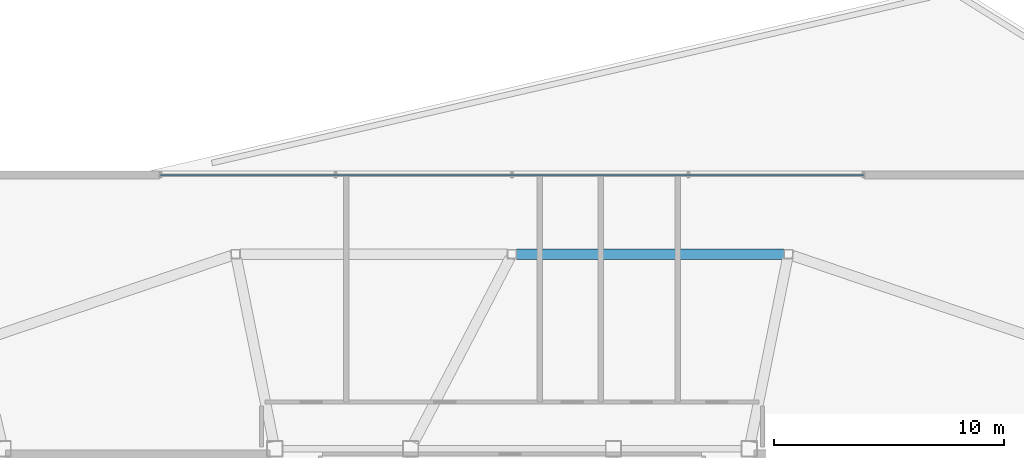
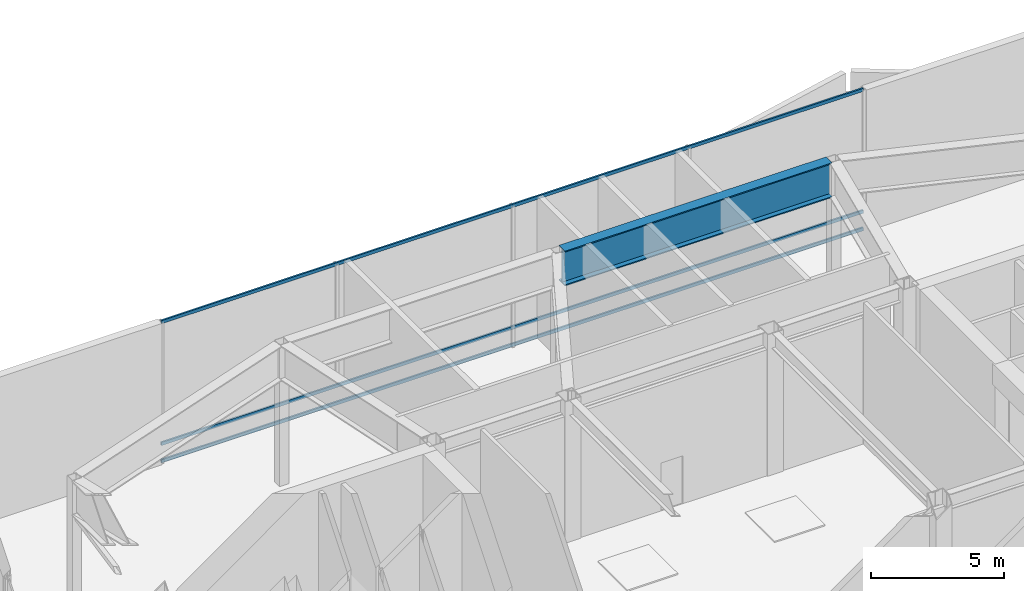
# One storey, part 15 of 25: 3 members, 1 beam, 1 element without a shape of its own.
"""IFC4 building model written with IfcOpenShell, lengths in metres."""

from ifc_helpers import new_model, si_unit, direction, frame, origin, origin_2d, place, context, subcontext, project, spatial, hollow_rectangle, i_section, extrude, material, layer, layer_set, material_profile, profile_set, type_object, element, aggregate, save


model = new_model("IFC4")

# Units and contexts
model_context = context("Model", 3, precision=1e-05, world=origin(), true_north=direction((0.0, 1.0)))
body_context = subcontext(model_context, "Body", "Model", "MODEL_VIEW")
ifc_project = project(units=[si_unit("LENGTHUNIT", "METRE"), si_unit("AREAUNIT", "SQUARE_METRE"), si_unit("VOLUMEUNIT", "CUBIC_METRE"), si_unit("PLANEANGLEUNIT", "RADIAN"), si_unit("MASSUNIT", "GRAM", prefix="KILO")], contexts=[model_context])

# Site, building, storey
site_placement = place(None, origin())
site = spatial("IfcSite", under=ifc_project, at=site_placement, CompositionType="ELEMENT")
building_placement = place(site_placement, origin())
building = spatial("IfcBuilding", under=site, at=building_placement, Name="Tavrogorsk Clinical Tower", CompositionType="ELEMENT")
storey_placement = place(building_placement, frame((0.0, 0.0, 333.0)))
storey = spatial("IfcBuildingStorey", under=building, at=storey_placement, Name="L78", CompositionType="ELEMENT", Elevation=333.0)

# Curtain wall, members
ifc_material_1 = material(Name="Anodised aluminium and triple IGU glazing", Category="aluminium")
ifc_layer = layer(ifc_material_1, 0.179931640625)
ifc_layer_set = layer_set([ifc_layer], Name="Anodised aluminium and triple IGU glazing")
curtain_wall_type = type_object("IfcCurtainWallType", Name="CW6_TmdLantern", PredefinedType="NOTDEFINED", material=ifc_layer_set)
curtain_wall_placement = place(storey_placement, origin())
curtain_wall = element("IfcCurtainWall", 1, at=curtain_wall_placement, inside=storey, type_object=curtain_wall_type, Name="L78 Curtain Wall CW-L78-TMD-4", PredefinedType="NOTDEFINED")
ifc_material_2 = material(Name="Anodised aluminium alloy AW-6060", Category="aluminium")
ifc_material_profile_1 = material_profile(ifc_material_2, hollow_rectangle(XDim=0.074951171875, YDim=0.14990234375, WallThickness=0.0048828125, at=origin_2d()), Name="RHS-150x75x5")
ifc_profile_set_1 = profile_set([ifc_material_profile_1], Name="Anodised aluminium alloy AW-6060")
member_type = type_object("IfcMemberType", Name="CwTransom_150x75", PredefinedType="USERDEFINED", material=ifc_profile_set_1)
member_1_placement = place(storey_placement, frame((-15.258544921875, 18.22998046875, 0.050048828125), z_axis=(1.0, 0.0, 0.0), x_axis=(0.0, 1.0, 0.0)))
member_1 = element("IfcMember", 2, at=member_1_placement, type_object=member_type, Name="CW-L78-TMD-4 Transom 1", ObjectType="TRANSOM", PredefinedType="USERDEFINED", context=body_context, shape_type="SweptSolid", body=[
    extrude(hollow_rectangle(XDim=0.074951171875, YDim=0.14990234375, WallThickness=0.0048828125, at=origin_2d()), origin(), (0.0, 0.0, 1.0), 30.51806640625),
])
member_2_placement = place(storey_placement, frame((-15.258544921875, 18.22998046875, 0.85009765625), z_axis=(1.0, 0.0, 0.0), x_axis=(0.0, 1.0, 0.0)))
member_2 = element("IfcMember", 3, at=member_2_placement, type_object=member_type, Name="CW-L78-TMD-4 Transom 2", ObjectType="TRANSOM", PredefinedType="USERDEFINED", context=body_context, shape_type="SweptSolid", body=[
    extrude(hollow_rectangle(XDim=0.074951171875, YDim=0.14990234375, WallThickness=0.0048828125, at=origin_2d()), origin(), (0.0, 0.0, 1.0), 30.51806640625),
])
member_3_placement = place(storey_placement, frame((-15.258544921875, 18.22998046875, 6.449951171875), z_axis=(1.0, 0.0, 0.0), x_axis=(0.0, 1.0, 0.0)))
member_3 = element("IfcMember", 4, at=member_3_placement, type_object=member_type, Name="CW-L78-TMD-4 Transom 3", ObjectType="TRANSOM", PredefinedType="USERDEFINED", context=body_context, shape_type="SweptSolid", body=[
    extrude(hollow_rectangle(XDim=0.074951171875, YDim=0.14990234375, WallThickness=0.0048828125, at=origin_2d()), origin(), (0.0, 0.0, 1.0), 30.51806640625),
])
aggregate(curtain_wall, [member_1, member_2, member_3])

# Beam
ifc_material_3 = material(Name="Structural steel S440", Category="steel")
ifc_material_profile_2 = material_profile(ifc_material_3, i_section(OverallWidth=0.449951171875, OverallDepth=1.60009765625, WebThickness=0.031982421875, FlangeThickness=0.050048828125, at=origin_2d()), Name="DK-1600x450x32x50")
ifc_profile_set_2 = profile_set([ifc_material_profile_2], Name="Structural steel S440")
beam_type = type_object("IfcBeamType", Name="TransferGirder_DK1600", PredefinedType="USERDEFINED", material=ifc_profile_set_2)
beam_placement = place(storey_placement, frame((11.81005859375, 14.800048828125, 5.699951171875), z_axis=(-1.0, 0.0, 0.0), x_axis=(0.0, -1.0, 0.0)))
element("IfcBeam", 5, at=beam_placement, inside=storey, type_object=beam_type, Name="L78 Crown Spandrel Beam 06", ObjectType="GIRDER", PredefinedType="USERDEFINED", context=body_context, shape_type="SweptSolid", body=[
    extrude(i_section(OverallWidth=0.449951171875, OverallDepth=1.60009765625, WebThickness=0.031982421875, FlangeThickness=0.050048828125, at=origin_2d()), origin(), (0.0, 0.0, 1.0), 11.6201171875),
])

save(model, "model.ifc")
